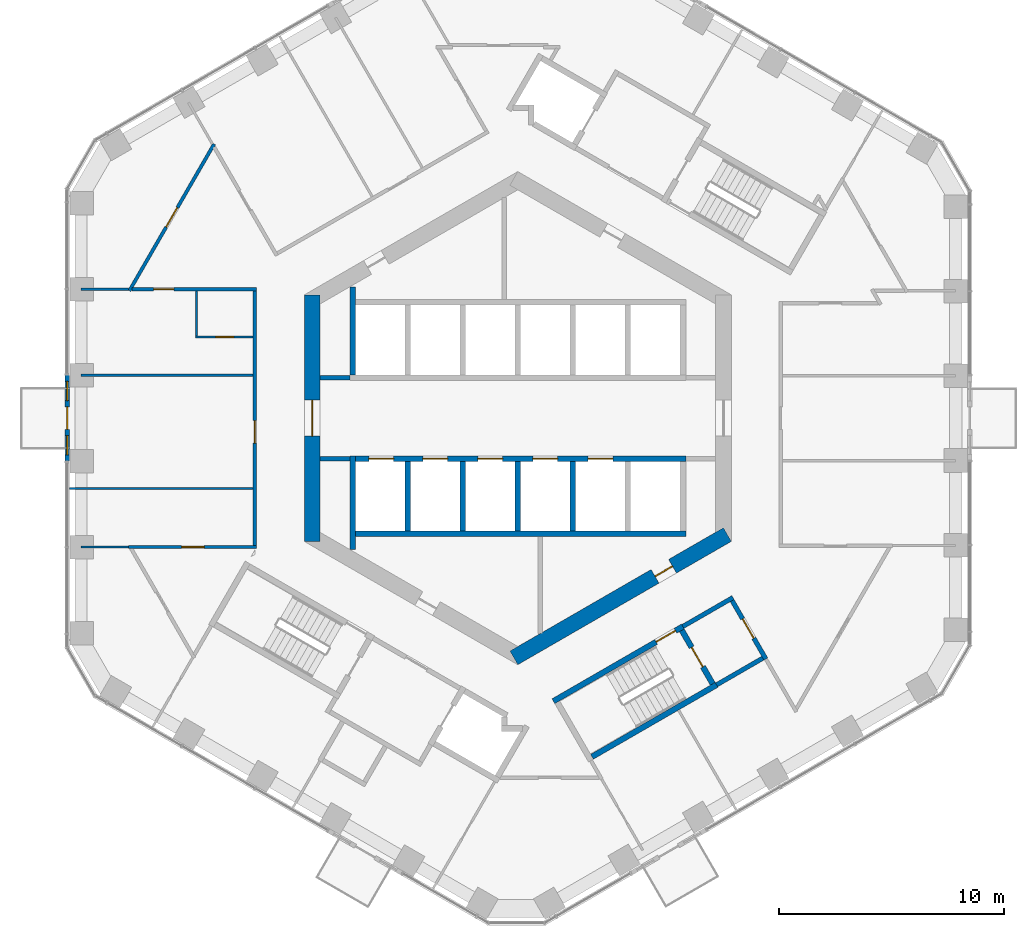
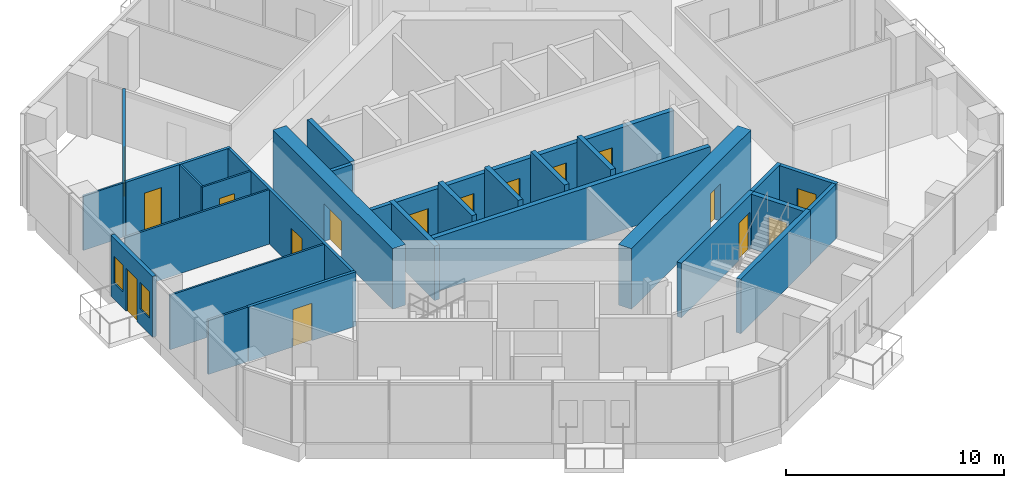
# One storey, part 14 of 20: 29 walls, 16 doors, 2 windows, 18 openings.
"""IFC4 building model written with IfcOpenShell, lengths in metres."""

from ifc_helpers import new_model, si_unit, direction, frame, frame_2d, origin, place, context, subcontext, project, spatial, rectangle, extrude, material, layer, layer_set, type_object, element, fill, save


model = new_model("IFC4")

# Units and contexts
model_context = context("Model", 3, precision=1e-05, world=origin(), true_north=direction((0.0, 1.0)))
body_context = subcontext(model_context, "Body", "Model", "MODEL_VIEW")
ifc_project = project(units=[si_unit("LENGTHUNIT", "METRE"), si_unit("AREAUNIT", "SQUARE_METRE"), si_unit("VOLUMEUNIT", "CUBIC_METRE"), si_unit("PLANEANGLEUNIT", "RADIAN"), si_unit("MASSUNIT", "GRAM", prefix="KILO")], contexts=[model_context])

# Site, building, storey
site_placement = place(None, origin())
site = spatial("IfcSite", under=ifc_project, at=site_placement, CompositionType="ELEMENT")
building_placement = place(site_placement, origin())
building = spatial("IfcBuilding", under=site, at=building_placement, Name="Ayvan Gate Tower", CompositionType="ELEMENT")
storey_placement = place(building_placement, frame((0.0, 0.0, 86.5)))
storey = spatial("IfcBuildingStorey", under=building, at=storey_placement, Name="L22", CompositionType="ELEMENT", Elevation=86.5)

# Wall, openings, door, windows
ifc_material_1 = material(Name="Insulated metal panel wall")
ifc_layer_1 = layer(ifc_material_1, 0.199951171875)
ifc_layer_set_1 = layer_set([ifc_layer_1], Name="Insulated metal panel wall")
wall_type_1 = type_object("IfcWallType", Name="Balcony door wall 200", PredefinedType="SOLIDWALL", material=ifc_layer_set_1)
wall_1_placement = place(storey_placement, frame((-20.05126953125, 1.91357421875, 0.0), z_axis=(0.0, 0.0, 1.0), x_axis=(0.0, -1.0, 0.0)))
wall_1 = element("IfcWall", 1, at=wall_1_placement, inside=storey, type_object=wall_type_1, Name="EW:L22:3:2", PredefinedType="SOLIDWALL", context=body_context, shape_type="SweptSolid", body=[
    extrude(rectangle(XDim=3.8271484375, YDim=0.199951171875, at=frame_2d((1.91357421875, 0.0))), origin(), (0.0, 0.0, 1.0), 3.39990234375),
])
opening_1_placement = place(wall_1_placement, frame((1.41357421875, 0.0, 0.0)))
opening_1 = element("IfcOpeningElement", 2, at=opening_1_placement, cuts=wall_1, Name="Opening L22-D93", PredefinedType="OPENING", context=body_context, shape_type="SweptSolid", body=[
    extrude(rectangle(XDim=1.0, YDim=2.39990234375, at=frame_2d((0.5, 1.199951171875))), frame((0.0, 0.10986328125, 0.0), z_axis=(0.0, -1.0, 0.0), x_axis=(1.0, 0.0, 0.0)), (0.0, 0.0, 1.0), 0.219970703125),
])
opening_2_placement = place(wall_1_placement, frame((0.28173828125, 0.0, 0.89990234375)))
opening_2 = element("IfcOpeningElement", 3, at=opening_2_placement, cuts=wall_1, Name="Opening W-B2", PredefinedType="OPENING", context=body_context, shape_type="SweptSolid", body=[
    extrude(rectangle(XDim=0.85009765625, YDim=1.5, at=frame_2d((0.425048828125, 0.75))), frame((0.0, 0.10986328125, 0.0), z_axis=(0.0, -1.0, 0.0), x_axis=(1.0, 0.0, 0.0)), (0.0, 0.0, 1.0), 0.219970703125),
])
opening_3_placement = place(wall_1_placement, frame((2.6953125, 0.0, 0.89990234375)))
opening_3 = element("IfcOpeningElement", 4, at=opening_3_placement, cuts=wall_1, Name="Opening W-B2", PredefinedType="OPENING", context=body_context, shape_type="SweptSolid", body=[
    extrude(rectangle(XDim=0.85009765625, YDim=1.5, at=frame_2d((0.425048828125, 0.75))), frame((0.0, 0.10986328125, 0.0), z_axis=(0.0, -1.0, 0.0), x_axis=(1.0, 0.0, 0.0)), (0.0, 0.0, 1.0), 0.219970703125),
])
ifc_material_2 = material(Name="Bronze anodised aluminium and clear glass", Category="aluminium")
door_type_1 = type_object("IfcDoorType", Name="Balcony door D-B", OperationType="SINGLE_SWING_RIGHT", PredefinedType="DOOR", material=ifc_material_2)
door_1_placement = place(opening_1_placement, origin())
door_1 = element("IfcDoor", 5, at=door_1_placement, inside=storey, type_object=door_type_1, Name="Balcony door BAL-L22-3", OperationType="SINGLE_SWING_RIGHT", OverallHeight=2.39990234375, OverallWidth=1.0, PredefinedType="DOOR", context=body_context, shape_type="SweptSolid", body=[
    extrude(rectangle(XDim=1.0, YDim=2.39990234375, at=frame_2d((0.5, 1.199951171875))), frame((0.0, 0.02490234375, 0.0), z_axis=(0.0, -1.0, 0.0), x_axis=(1.0, 0.0, 0.0)), (0.0, 0.0, 1.0), 0.050048828125),
])
fill(opening_1, door_1)
window_type = type_object("IfcWindowType", Name="Balcony side light W-B Z2", PartitioningType="SINGLE_PANEL", PredefinedType="WINDOW", material=ifc_material_2)
window_1_placement = place(opening_2_placement, origin())
window_1 = element("IfcWindow", 6, at=window_1_placement, inside=storey, type_object=window_type, Name="Balcony side light BAL-L22-3.1", OverallHeight=1.5, OverallWidth=0.85009765625, PartitioningType="SINGLE_PANEL", PredefinedType="WINDOW", context=body_context, shape_type="SweptSolid", body=[
    extrude(rectangle(XDim=0.85009765625, YDim=1.5, at=frame_2d((0.425048828125, 0.75))), frame((0.0, 0.030029296875, 0.0), z_axis=(0.0, -1.0, 0.0), x_axis=(1.0, 0.0, 0.0)), (0.0, 0.0, 1.0), 0.06005859375),
])
fill(opening_2, window_1)
window_2_placement = place(opening_3_placement, origin())
window_2 = element("IfcWindow", 7, at=window_2_placement, inside=storey, type_object=window_type, Name="Balcony side light BAL-L22-3.2", OverallHeight=1.5, OverallWidth=0.85009765625, PartitioningType="SINGLE_PANEL", PredefinedType="WINDOW", context=body_context, shape_type="SweptSolid", body=[
    extrude(rectangle(XDim=0.85009765625, YDim=1.5, at=frame_2d((0.425048828125, 0.75))), frame((0.0, 0.030029296875, 0.0), z_axis=(0.0, -1.0, 0.0), x_axis=(1.0, 0.0, 0.0)), (0.0, 0.0, 1.0), 0.06005859375),
])
fill(opening_3, window_2)

# Wall, opening, door
ifc_material_3 = material(Name="Concrete C70/85", Category="concrete")
ifc_layer_2 = layer(ifc_material_3, 0.699951171875)
ifc_layer_set_2 = layer_set([ifc_layer_2], Name="Concrete C70/85")
wall_type_2 = type_object("IfcWallType", Name="Core wall 700 C70/85", PredefinedType="SHEAR", material=ifc_layer_set_2)
wall_2_placement = place(storey_placement, frame((-9.14990234375, 5.48486328125, 0.0), z_axis=(0.0, 0.0, 1.0), x_axis=(0.0, -1.0, 0.0)))
wall_2 = element("IfcWall", 8, at=wall_2_placement, inside=storey, type_object=wall_type_2, Name="CORE-L22-3", PredefinedType="SHEAR", context=body_context, shape_type="SweptSolid", body=[
    extrude(rectangle(XDim=10.9697265625, YDim=0.699951171875, at=frame_2d((5.48486328125, 0.0))), origin(), (0.0, 0.0, 1.0), 3.39990234375),
])
opening_4_placement = place(wall_2_placement, frame((4.684814453125, 0.0, 0.0)))
opening_4 = element("IfcOpeningElement", 9, at=opening_4_placement, cuts=wall_2, Name="Opening L22-D101", PredefinedType="OPENING", context=body_context, shape_type="SweptSolid", body=[
    extrude(rectangle(XDim=1.60009765625, YDim=2.10009765625, at=frame_2d((0.800048828125, 1.050048828125))), frame((0.0, 0.35986328125, 0.0), z_axis=(0.0, -1.0, 0.0), x_axis=(1.0, 0.0, 0.0)), (0.0, 0.0, 1.0), 0.719970703125),
])
ifc_material_4 = material(Name="Timber door leaf", Category="wood")
door_type_2 = type_object("IfcDoorType", Name="DT-1600", OperationType="NOTDEFINED", PredefinedType="DOOR", material=ifc_material_4)
door_2_placement = place(opening_4_placement, origin())
door_2 = element("IfcDoor", 10, at=door_2_placement, inside=storey, type_object=door_type_2, Name="CD-L22-101", OperationType="SINGLE_SWING_LEFT", OverallHeight=2.10009765625, OverallWidth=1.60009765625, PredefinedType="DOOR", context=body_context, shape_type="SweptSolid", body=[
    extrude(rectangle(XDim=1.60009765625, YDim=2.10009765625, at=frame_2d((0.800048828125, 1.050048828125))), frame((0.0, 0.02490234375, 0.0), z_axis=(0.0, -1.0, 0.0), x_axis=(1.0, 0.0, 0.0)), (0.0, 0.0, 1.0), 0.050048828125),
])
fill(opening_4, door_2)

wall_3_placement = place(storey_placement, frame((-0.175048828125, -10.66650390625, 0.0), z_axis=(0.0, 0.0, 1.0), x_axis=(0.866023993627, 0.500002442456, 0.0)))
wall_3 = element("IfcWall", 11, at=wall_3_placement, inside=storey, type_object=wall_type_2, Name="CORE-L22-5", PredefinedType="SHEAR", context=body_context, shape_type="SweptSolid", body=[
    extrude(rectangle(XDim=10.9697265625, YDim=0.699951171875, at=frame_2d((5.48486328125, 0.0))), origin(), (0.0, 0.0, 1.0), 3.39990234375),
])
opening_5_placement = place(wall_3_placement, frame((7.25244140625, 0.0, 0.0)))
opening_5 = element("IfcOpeningElement", 12, at=opening_5_placement, cuts=wall_3, Name="Opening L22-D99", PredefinedType="OPENING", context=body_context, shape_type="SweptSolid", body=[
    extrude(rectangle(XDim=0.89990234375, YDim=2.10009765625, at=frame_2d((0.449951171875, 1.050048828125))), frame((0.0, 0.35986328125, 0.0), z_axis=(0.0, -1.0, 0.0), x_axis=(1.0, 0.0, 0.0)), (0.0, 0.0, 1.0), 0.719970703125),
])
door_type_3 = type_object("IfcDoorType", Name="DT-900", OperationType="NOTDEFINED", PredefinedType="DOOR", material=ifc_material_4)
door_3_placement = place(opening_5_placement, origin())
door_3 = element("IfcDoor", 13, at=door_3_placement, inside=storey, type_object=door_type_3, Name="CD-L22-99", OperationType="SINGLE_SWING_LEFT", OverallHeight=2.10009765625, OverallWidth=0.89990234375, PredefinedType="DOOR", context=body_context, shape_type="SweptSolid", body=[
    extrude(rectangle(XDim=0.89990234375, YDim=2.10009765625, at=frame_2d((0.449951171875, 1.050048828125))), frame((0.0, 0.02490234375, 0.0), z_axis=(0.0, -1.0, 0.0), x_axis=(1.0, 0.0, 0.0)), (0.0, 0.0, 1.0), 0.050048828125),
])
fill(opening_5, door_3)

ifc_material_5 = material(Name="Plasterboard on steel stud", Category="steel")
ifc_layer_3 = layer(ifc_material_5, 0.14990234375)
ifc_layer_set_3 = layer_set([ifc_layer_3], Name="Plasterboard on steel stud")
wall_type_3 = type_object("IfcWallType", Name="WT-CORR-150", PredefinedType="PARTITIONING", material=ifc_layer_set_3)
wall_4_placement = place(storey_placement, frame((-17.321533203125, -5.731201171875, 0.0), z_axis=(0.0, 0.0, 1.0), x_axis=(1.0, 0.0, 0.0)))
wall_4 = element("IfcWall", 14, at=wall_4_placement, inside=storey, type_object=wall_type_3, Name="IW-L22-001", PredefinedType="PARTITIONING", context=body_context, shape_type="SweptSolid", body=[
    extrude(rectangle(XDim=5.696533203125, YDim=0.14990234375, at=frame_2d((2.84814453125, 0.0))), origin(), (0.0, 0.0, 1.0), 3.050048828125),
])
opening_6_placement = place(wall_4_placement, frame((2.365478515625, 0.0, 0.0)))
opening_6 = element("IfcOpeningElement", 15, at=opening_6_placement, cuts=wall_4, Name="Opening L22-D27", PredefinedType="OPENING", context=body_context, shape_type="SweptSolid", body=[
    extrude(rectangle(XDim=1.0, YDim=2.10009765625, at=frame_2d((0.5, 1.050048828125))), frame((0.0, 0.0849609375, 0.0), z_axis=(0.0, -1.0, 0.0), x_axis=(1.0, 0.0, 0.0)), (0.0, 0.0, 1.0), 0.169921875),
])
door_type_4 = type_object("IfcDoorType", Name="DT-1000", OperationType="NOTDEFINED", PredefinedType="DOOR", material=ifc_material_4)
door_4_placement = place(opening_6_placement, origin())
door_4 = element("IfcDoor", 16, at=door_4_placement, inside=storey, type_object=door_type_4, Name="ID-L22-027", OperationType="SINGLE_SWING_LEFT", OverallHeight=2.10009765625, OverallWidth=1.0, PredefinedType="DOOR", context=body_context, shape_type="SweptSolid", body=[
    extrude(rectangle(XDim=1.0, YDim=2.10009765625, at=frame_2d((0.5, 1.050048828125))), frame((0.0, 0.02490234375, 0.0), z_axis=(0.0, -1.0, 0.0), x_axis=(1.0, 0.0, 0.0)), (0.0, 0.0, 1.0), 0.050048828125),
])
fill(opening_6, door_4)

wall_5_placement = place(storey_placement, frame((-17.2841796875, 5.66650390625, 0.0), z_axis=(0.0, 0.0, 1.0), x_axis=(0.500011112518, 0.866018987874, 0.0)))
wall_5 = element("IfcWall", 17, at=wall_5_placement, inside=storey, type_object=wall_type_3, Name="IW-L22-003", PredefinedType="PARTITIONING", context=body_context, shape_type="SweptSolid", body=[
    extrude(rectangle(XDim=7.540771484375, YDim=0.14990234375, at=frame_2d((3.7705078125, 0.0))), origin(), (0.0, 0.0, 1.0), 3.050048828125),
])
opening_7_placement = place(wall_5_placement, frame((3.2705078125, 0.0, 0.0)))
opening_7 = element("IfcOpeningElement", 18, at=opening_7_placement, cuts=wall_5, Name="Opening L22-D23", PredefinedType="OPENING", context=body_context, shape_type="SweptSolid", body=[
    extrude(rectangle(XDim=1.0, YDim=2.10009765625, at=frame_2d((0.5, 1.050048828125))), frame((0.0, 0.0849609375, 0.0), z_axis=(0.0, -1.0, 0.0), x_axis=(1.0, 0.0, 0.0)), (0.0, 0.0, 1.0), 0.169921875),
])
door_5_placement = place(opening_7_placement, origin())
door_5 = element("IfcDoor", 19, at=door_5_placement, inside=storey, type_object=door_type_4, Name="ID-L22-023", OperationType="SINGLE_SWING_LEFT", OverallHeight=2.10009765625, OverallWidth=1.0, PredefinedType="DOOR", context=body_context, shape_type="SweptSolid", body=[
    extrude(rectangle(XDim=1.0, YDim=2.10009765625, at=frame_2d((0.5, 1.050048828125))), frame((0.0, 0.02490234375, 0.0), z_axis=(0.0, -1.0, 0.0), x_axis=(1.0, 0.0, 0.0)), (0.0, 0.0, 1.0), 0.050048828125),
])
fill(opening_7, door_5)

wall_6_placement = place(storey_placement, frame((-17.171630859375, 5.731201171875, 0.0), z_axis=(0.0, 0.0, 1.0), x_axis=(1.0, 0.0, 0.0)))
wall_6 = element("IfcWall", 20, at=wall_6_placement, inside=storey, type_object=wall_type_3, Name="IW-L22-009", PredefinedType="PARTITIONING", context=body_context, shape_type="SweptSolid", body=[
    extrude(rectangle(XDim=5.546630859375, YDim=0.14990234375, at=frame_2d((2.7734375, 0.0))), origin(), (0.0, 0.0, 1.0), 3.050048828125),
])
opening_8_placement = place(wall_6_placement, frame((0.970703125, 0.0, 0.0)))
opening_8 = element("IfcOpeningElement", 21, at=opening_8_placement, cuts=wall_6, Name="Opening L22-D24", PredefinedType="OPENING", context=body_context, shape_type="SweptSolid", body=[
    extrude(rectangle(XDim=0.89990234375, YDim=2.10009765625, at=frame_2d((0.449951171875, 1.050048828125))), frame((0.0, 0.0849609375, 0.0), z_axis=(0.0, -1.0, 0.0), x_axis=(1.0, 0.0, 0.0)), (0.0, 0.0, 1.0), 0.169921875),
])
door_6_placement = place(opening_8_placement, origin())
door_6 = element("IfcDoor", 22, at=door_6_placement, inside=storey, type_object=door_type_3, Name="ID-L22-024", OperationType="SINGLE_SWING_RIGHT", OverallHeight=2.10009765625, OverallWidth=0.89990234375, PredefinedType="DOOR", context=body_context, shape_type="SweptSolid", body=[
    extrude(rectangle(XDim=0.89990234375, YDim=2.10009765625, at=frame_2d((0.449951171875, 1.050048828125))), frame((0.0, 0.02490234375, 0.0), z_axis=(0.0, -1.0, 0.0), x_axis=(1.0, 0.0, 0.0)), (0.0, 0.0, 1.0), 0.050048828125),
])
fill(opening_8, door_6)

wall_7_placement = place(storey_placement, frame((-11.699951171875, 5.65625, 0.0), z_axis=(0.0, 0.0, 1.0), x_axis=(0.0, -1.0, 0.0)))
wall_7 = element("IfcWall", 23, at=wall_7_placement, inside=storey, type_object=wall_type_3, Name="IW-L22-015", PredefinedType="PARTITIONING", context=body_context, shape_type="SweptSolid", body=[
    extrude(rectangle(XDim=11.3125, YDim=0.14990234375, at=frame_2d((5.65625, 0.0))), origin(), (0.0, 0.0, 1.0), 3.050048828125),
])
opening_9_placement = place(wall_7_placement, frame((5.767578125, 0.0, 0.0)))
opening_9 = element("IfcOpeningElement", 24, at=opening_9_placement, cuts=wall_7, Name="Opening L22-D26", PredefinedType="OPENING", context=body_context, shape_type="SweptSolid", body=[
    extrude(rectangle(XDim=1.0, YDim=2.10009765625, at=frame_2d((0.5, 1.050048828125))), frame((0.0, 0.0849609375, 0.0), z_axis=(0.0, -1.0, 0.0), x_axis=(1.0, 0.0, 0.0)), (0.0, 0.0, 1.0), 0.169921875),
])
door_7_placement = place(opening_9_placement, origin())
door_7 = element("IfcDoor", 25, at=door_7_placement, inside=storey, type_object=door_type_4, Name="ID-L22-026", OperationType="SINGLE_SWING_RIGHT", OverallHeight=2.10009765625, OverallWidth=1.0, PredefinedType="DOOR", context=body_context, shape_type="SweptSolid", body=[
    extrude(rectangle(XDim=1.0, YDim=2.10009765625, at=frame_2d((0.5, 1.050048828125))), frame((0.0, 0.02490234375, 0.0), z_axis=(0.0, -1.0, 0.0), x_axis=(1.0, 0.0, 0.0)), (0.0, 0.0, 1.0), 0.050048828125),
])
fill(opening_9, door_7)

# Walls
ifc_layer_4 = layer(ifc_material_5, 0.10009765625)
ifc_layer_set_4 = layer_set([ifc_layer_4], Name="Plasterboard on steel stud")
wall_type_4 = type_object("IfcWallType", Name="WT-PART-100", PredefinedType="PARTITIONING", material=ifc_layer_set_4)
for number, where, z_axis, x_axis, name in (
    (26, (-17.321533203125, -5.731201171875, 0.0), (0.0, 0.0, 1.0), (-1.0, 0.0, 0.0), "IW-L22-000"),
    (27, (-17.321533203125, 5.731201171875, 0.0), (0.0, 0.0, 1.0), (-1.0, 0.0, 0.0), "IW-L22-002"),
):
    element("IfcWall", number, at=place(storey_placement, frame(where, z_axis=z_axis, x_axis=x_axis)), inside=storey, type_object=wall_type_4, Name=name, PredefinedType="PARTITIONING", context=body_context, shape_type="SweptSolid", body=[
        extrude(rectangle(XDim=2.104736328125, YDim=0.10009765625, at=frame_2d((1.05224609375, 0.0))), origin(), (0.0, 0.0, 1.0), 3.050048828125),
    ])

# Wall, opening, door
wall_8_placement = place(storey_placement, frame((-14.35009765625, 3.6103515625, 0.0), z_axis=(0.0, 0.0, 1.0), x_axis=(1.0, 0.0, 0.0)))
wall_8 = element("IfcWall", 28, at=wall_8_placement, inside=storey, type_object=wall_type_4, Name="IW-L22-007", PredefinedType="PARTITIONING", context=body_context, shape_type="SweptSolid", body=[
    extrude(rectangle(XDim=2.5751953125, YDim=0.10009765625, at=frame_2d((1.28759765625, 0.0))), origin(), (0.0, 0.0, 1.0), 3.050048828125),
])
opening_10_placement = place(wall_8_placement, frame((0.91259765625, 0.0, 0.0)))
opening_10 = element("IfcOpeningElement", 29, at=opening_10_placement, cuts=wall_8, Name="Opening L22-D25", PredefinedType="OPENING", context=body_context, shape_type="SweptSolid", body=[
    extrude(rectangle(XDim=0.800048828125, YDim=2.10009765625, at=frame_2d((0.39990234375, 1.050048828125))), frame((0.0, 0.06005859375, 0.0), z_axis=(0.0, -1.0, 0.0), x_axis=(1.0, 0.0, 0.0)), (0.0, 0.0, 1.0), 0.1201171875),
])
door_type_5 = type_object("IfcDoorType", Name="DT-800", OperationType="NOTDEFINED", PredefinedType="DOOR", material=ifc_material_4)
door_8_placement = place(opening_10_placement, origin())
door_8 = element("IfcDoor", 30, at=door_8_placement, inside=storey, type_object=door_type_5, Name="ID-L22-025", OperationType="SINGLE_SWING_LEFT", OverallHeight=2.10009765625, OverallWidth=0.800048828125, PredefinedType="DOOR", context=body_context, shape_type="SweptSolid", body=[
    extrude(rectangle(XDim=0.800048828125, YDim=2.10009765625, at=frame_2d((0.39990234375, 1.050048828125))), frame((0.0, 0.02490234375, 0.0), z_axis=(0.0, -1.0, 0.0), x_axis=(1.0, 0.0, 0.0)), (0.0, 0.0, 1.0), 0.050048828125),
])
fill(opening_10, door_8)

# Walls
wall_9_placement = place(storey_placement, frame((-14.300048828125, 5.65625, 0.0), z_axis=(0.0, 0.0, 1.0), x_axis=(0.0, -1.0, 0.0)))
element("IfcWall", 31, at=wall_9_placement, inside=storey, type_object=wall_type_4, Name="IW-L22-008", PredefinedType="PARTITIONING", context=body_context, shape_type="SweptSolid", body=[
    extrude(rectangle(XDim=1.995849609375, YDim=0.10009765625, at=frame_2d((0.998046875, 0.0))), origin(), (0.0, 0.0, 1.0), 3.050048828125),
])
wall_10_placement = place(storey_placement, frame((-11.77490234375, -3.133056640625, 0.0), z_axis=(0.0, 0.0, 1.0), x_axis=(-1.0, 0.0, 0.0)))
element("IfcWall", 32, at=wall_10_placement, inside=storey, type_object=wall_type_4, Name="IW-L22-014", PredefinedType="PARTITIONING", context=body_context, shape_type="SweptSolid", body=[
    extrude(rectangle(XDim=8.17236328125, YDim=0.10009765625, at=frame_2d((4.086181640625, 0.0))), origin(), (0.0, 0.0, 1.0), 3.050048828125),
])
wall_11_placement = place(storey_placement, frame((-11.77490234375, 1.910400390625, 0.0), z_axis=(0.0, 0.0, 1.0), x_axis=(-1.0, 0.0, 0.0)))
element("IfcWall", 33, at=wall_11_placement, inside=storey, type_object=wall_type_4, Name="IW-L22-016", PredefinedType="PARTITIONING", context=body_context, shape_type="SweptSolid", body=[
    extrude(rectangle(XDim=7.6513671875, YDim=0.10009765625, at=frame_2d((3.82568359375, 0.0))), origin(), (0.0, 0.0, 1.0), 3.050048828125),
])
ifc_layer_5 = layer(ifc_material_5, 0.199951171875)
ifc_layer_set_5 = layer_set([ifc_layer_5], Name="Plasterboard on steel stud")
wall_type_5 = type_object("IfcWallType", Name="WT-RATED-200", PredefinedType="PARTITIONING", material=ifc_layer_set_5)
for number, where, z_axis, x_axis, name in (
    (34, (-8.800048828125, 1.800048828125, 0.0), (0.0, 0.0, 1.0), (1.0, 0.0, 0.0), "IW-L22-018"),
    (35, (-7.474853515625, -1.800048828125, 0.0), (0.0, 0.0, 1.0), (-1.0, 0.0, 0.0), "IW-L22-028"),
):
    element("IfcWall", number, at=place(storey_placement, frame(where, z_axis=z_axis, x_axis=x_axis)), inside=storey, type_object=wall_type_5, Name=name, PredefinedType="PARTITIONING", context=body_context, shape_type="SweptSolid", body=[
        extrude(rectangle(XDim=1.3251953125, YDim=0.199951171875, at=frame_2d((0.66259765625, 0.0))), origin(), (0.0, 0.0, 1.0), 3.050048828125),
    ])
wall_12_placement = place(storey_placement, frame((7.343994140625, -9.27001953125, 0.0), z_axis=(0.0, 0.0, 1.0), x_axis=(0.866005588531, 0.500034319456, 0.0)))
element("IfcWall", 36, at=wall_12_placement, inside=storey, type_object=wall_type_5, Name="IW-L22-083", PredefinedType="PARTITIONING", context=body_context, shape_type="SweptSolid", body=[
    extrude(rectangle(XDim=2.574951171875, YDim=0.199951171875, at=frame_2d((1.28759765625, 0.0))), origin(), (0.0, 0.0, 1.0), 3.050048828125),
])

# Wall, opening, door
wall_13_placement = place(storey_placement, frame((9.537353515625, -8.119140625, 0.0), z_axis=(0.0, 0.0, 1.0), x_axis=(0.499990139034, -0.866031096941, 0.0)))
wall_13 = element("IfcWall", 37, at=wall_13_placement, inside=storey, type_object=wall_type_5, Name="IW-L22-091", PredefinedType="PARTITIONING", context=body_context, shape_type="SweptSolid", body=[
    extrude(rectangle(XDim=3.0, YDim=0.199951171875, at=frame_2d((1.5, 0.0))), origin(), (0.0, 0.0, 1.0), 3.050048828125),
])
opening_11_placement = place(wall_13_placement, frame((0.93505859375, 0.0, 0.0)))
opening_11 = element("IfcOpeningElement", 38, at=opening_11_placement, cuts=wall_13, Name="Opening L22-D15", PredefinedType="OPENING", context=body_context, shape_type="SweptSolid", body=[
    extrude(rectangle(XDim=1.0, YDim=2.10009765625, at=frame_2d((0.5, 1.050048828125))), frame((0.0, 0.10986328125, 0.0), z_axis=(0.0, -1.0, 0.0), x_axis=(1.0, 0.0, 0.0)), (0.0, 0.0, 1.0), 0.219970703125),
])
door_9_placement = place(opening_11_placement, origin())
door_9 = element("IfcDoor", 39, at=door_9_placement, inside=storey, type_object=door_type_4, Name="ID-L22-015", OperationType="SINGLE_SWING_LEFT", OverallHeight=2.10009765625, OverallWidth=1.0, PredefinedType="DOOR", context=body_context, shape_type="SweptSolid", body=[
    extrude(rectangle(XDim=1.0, YDim=2.10009765625, at=frame_2d((0.5, 1.050048828125))), frame((0.0, 0.02490234375, 0.0), z_axis=(0.0, -1.0, 0.0), x_axis=(1.0, 0.0, 0.0)), (0.0, 0.0, 1.0), 0.050048828125),
])
fill(opening_11, door_9)

# Walls
wall_14_placement = place(storey_placement, frame((10.900634765625, -10.6806640625, 0.0), z_axis=(0.0, 0.0, 1.0), x_axis=(-0.866007538022, -0.500030943131, 0.0)))
element("IfcWall", 40, at=wall_14_placement, inside=storey, type_object=wall_type_5, Name="IW-L22-092", PredefinedType="PARTITIONING", context=body_context, shape_type="SweptSolid", body=[
    extrude(rectangle(XDim=2.374755859375, YDim=0.199951171875, at=frame_2d((1.1875, 0.0))), origin(), (0.0, 0.0, 1.0), 3.050048828125),
])
ifc_material_6 = material(Name="Concrete C50/60", Category="concrete")
ifc_layer_6 = layer(ifc_material_6, 0.25)
ifc_layer_set_6 = layer_set([ifc_layer_6], Name="Concrete C50/60")
wall_type_6 = type_object("IfcWallType", Name="WT-RC-250", PredefinedType="SHEAR", material=ifc_layer_set_6)
wall_15_placement = place(storey_placement, frame((-7.35009765625, -5.845703125, 0.0), z_axis=(0.0, 0.0, 1.0), x_axis=(0.0, 1.0, 0.0)))
element("IfcWall", 41, at=wall_15_placement, inside=storey, type_object=wall_type_6, Name="IW-L22-025", PredefinedType="SHEAR", context=body_context, shape_type="SweptSolid", body=[
    extrude(rectangle(XDim=4.170654296875, YDim=0.25, at=frame_2d((2.08544921875, 0.0))), origin(), (0.0, 0.0, 1.0), 3.050048828125),
])
wall_16_placement = place(storey_placement, frame((-7.35009765625, 1.925048828125, 0.0), z_axis=(0.0, 0.0, 1.0), x_axis=(0.0, 1.0, 0.0)))
element("IfcWall", 42, at=wall_16_placement, inside=storey, type_object=wall_type_6, Name="IW-L22-026", PredefinedType="SHEAR", context=body_context, shape_type="SweptSolid", body=[
    extrude(rectangle(XDim=3.920654296875, YDim=0.25, at=frame_2d((1.96044921875, 0.0))), origin(), (0.0, 0.0, 1.0), 3.050048828125),
])
wall_17_placement = place(storey_placement, frame((-7.22509765625, -5.14990234375, 0.0), z_axis=(0.0, 0.0, 1.0), x_axis=(1.0, 0.0, 0.0)))
element("IfcWall", 43, at=wall_17_placement, inside=storey, type_object=wall_type_6, Name="IW-L22-034", PredefinedType="SHEAR", context=body_context, shape_type="SweptSolid", body=[
    extrude(rectangle(XDim=14.7001953125, YDim=0.25, at=frame_2d((7.35009765625, 0.0))), origin(), (0.0, 0.0, 1.0), 3.050048828125),
])
wall_18_placement = place(storey_placement, frame((-4.89990234375, -1.925048828125, 0.0), z_axis=(0.0, 0.0, 1.0), x_axis=(0.0, -1.0, 0.0)))
element("IfcWall", 44, at=wall_18_placement, inside=storey, type_object=wall_type_6, Name="IW-L22-035", PredefinedType="SHEAR", context=body_context, shape_type="SweptSolid", body=[
    extrude(rectangle(XDim=3.099853515625, YDim=0.25, at=frame_2d((1.5498046875, 0.0))), origin(), (0.0, 0.0, 1.0), 3.39990234375),
])

# Wall, openings, doors
wall_19_placement = place(storey_placement, frame((-7.22509765625, -1.800048828125, 0.0), z_axis=(0.0, 0.0, 1.0), x_axis=(1.0, 0.0, 0.0)))
wall_19 = element("IfcWall", 45, at=wall_19_placement, inside=storey, type_object=wall_type_6, Name="IW-L22-037", PredefinedType="SHEAR", context=body_context, shape_type="SweptSolid", body=[
    extrude(rectangle(XDim=14.7001953125, YDim=0.25, at=frame_2d((7.35009765625, 0.0))), origin(), (0.0, 0.0, 1.0), 3.050048828125),
])
opening_12_placement = place(wall_19_placement, frame((0.597412109375, 0.0, 0.0)))
opening_12 = element("IfcOpeningElement", 46, at=opening_12_placement, cuts=wall_19, Name="Opening L22-LD-LR1", PredefinedType="OPENING", context=body_context, shape_type="SweptSolid", body=[
    extrude(rectangle(XDim=1.10009765625, YDim=2.10009765625, at=frame_2d((0.550048828125, 1.050048828125))), frame((0.0, 0.135009765625, 0.0), z_axis=(0.0, -1.0, 0.0), x_axis=(1.0, 0.0, 0.0)), (0.0, 0.0, 1.0), 0.27001953125),
])
opening_13_placement = place(wall_19_placement, frame((3.0, 0.0, 0.0)))
opening_13 = element("IfcOpeningElement", 47, at=opening_13_placement, cuts=wall_19, Name="Opening L22-LD-LR2", PredefinedType="OPENING", context=body_context, shape_type="SweptSolid", body=[
    extrude(rectangle(XDim=1.10009765625, YDim=2.10009765625, at=frame_2d((0.550048828125, 1.050048828125))), frame((0.0, 0.135009765625, 0.0), z_axis=(0.0, -1.0, 0.0), x_axis=(1.0, 0.0, 0.0)), (0.0, 0.0, 1.0), 0.27001953125),
])
opening_14_placement = place(wall_19_placement, frame((5.4501953125, 0.0, 0.0)))
opening_14 = element("IfcOpeningElement", 48, at=opening_14_placement, cuts=wall_19, Name="Opening L22-LD-LR3", PredefinedType="OPENING", context=body_context, shape_type="SweptSolid", body=[
    extrude(rectangle(XDim=1.10009765625, YDim=2.10009765625, at=frame_2d((0.550048828125, 1.050048828125))), frame((0.0, 0.135009765625, 0.0), z_axis=(0.0, -1.0, 0.0), x_axis=(1.0, 0.0, 0.0)), (0.0, 0.0, 1.0), 0.27001953125),
])
opening_15_placement = place(wall_19_placement, frame((7.900146484375, 0.0, 0.0)))
opening_15 = element("IfcOpeningElement", 49, at=opening_15_placement, cuts=wall_19, Name="Opening L22-LD-LR4", PredefinedType="OPENING", context=body_context, shape_type="SweptSolid", body=[
    extrude(rectangle(XDim=1.10009765625, YDim=2.10009765625, at=frame_2d((0.550048828125, 1.050048828125))), frame((0.0, 0.135009765625, 0.0), z_axis=(0.0, -1.0, 0.0), x_axis=(1.0, 0.0, 0.0)), (0.0, 0.0, 1.0), 0.27001953125),
])
opening_16_placement = place(wall_19_placement, frame((10.35009765625, 0.0, 0.0)))
opening_16 = element("IfcOpeningElement", 50, at=opening_16_placement, cuts=wall_19, Name="Opening L22-LD-SV", PredefinedType="OPENING", context=body_context, shape_type="SweptSolid", body=[
    extrude(rectangle(XDim=1.10009765625, YDim=2.10009765625, at=frame_2d((0.550048828125, 1.050048828125))), frame((0.0, 0.135009765625, 0.0), z_axis=(0.0, -1.0, 0.0), x_axis=(1.0, 0.0, 0.0)), (0.0, 0.0, 1.0), 0.27001953125),
])
ifc_material_7 = material(Name="Stainless steel landing door", Category="steel")
door_type_6 = type_object("IfcDoorType", Name="DT-LANDING-1100", OperationType="SLIDING_TO_LEFT", PredefinedType="DOOR", material=ifc_material_7)
door_10_placement = place(opening_12_placement, origin())
door_10 = element("IfcDoor", 51, at=door_10_placement, inside=storey, type_object=door_type_6, Name="ID-L22-001", OperationType="SLIDING_TO_LEFT", OverallHeight=2.10009765625, OverallWidth=1.10009765625, PredefinedType="DOOR", context=body_context, shape_type="SweptSolid", body=[
    extrude(rectangle(XDim=1.10009765625, YDim=2.10009765625, at=frame_2d((0.550048828125, 1.050048828125))), frame((0.0, 0.02490234375, 0.0), z_axis=(0.0, -1.0, 0.0), x_axis=(1.0, 0.0, 0.0)), (0.0, 0.0, 1.0), 0.050048828125),
])
fill(opening_12, door_10)
door_11_placement = place(opening_13_placement, origin())
door_11 = element("IfcDoor", 52, at=door_11_placement, inside=storey, type_object=door_type_6, Name="ID-L22-002", OperationType="SLIDING_TO_LEFT", OverallHeight=2.10009765625, OverallWidth=1.10009765625, PredefinedType="DOOR", context=body_context, shape_type="SweptSolid", body=[
    extrude(rectangle(XDim=1.10009765625, YDim=2.10009765625, at=frame_2d((0.550048828125, 1.050048828125))), frame((0.0, 0.02490234375, 0.0), z_axis=(0.0, -1.0, 0.0), x_axis=(1.0, 0.0, 0.0)), (0.0, 0.0, 1.0), 0.050048828125),
])
fill(opening_13, door_11)
door_12_placement = place(opening_14_placement, origin())
door_12 = element("IfcDoor", 53, at=door_12_placement, inside=storey, type_object=door_type_6, Name="ID-L22-003", OperationType="SLIDING_TO_LEFT", OverallHeight=2.10009765625, OverallWidth=1.10009765625, PredefinedType="DOOR", context=body_context, shape_type="SweptSolid", body=[
    extrude(rectangle(XDim=1.10009765625, YDim=2.10009765625, at=frame_2d((0.550048828125, 1.050048828125))), frame((0.0, 0.02490234375, 0.0), z_axis=(0.0, -1.0, 0.0), x_axis=(1.0, 0.0, 0.0)), (0.0, 0.0, 1.0), 0.050048828125),
])
fill(opening_14, door_12)
door_13_placement = place(opening_15_placement, origin())
door_13 = element("IfcDoor", 54, at=door_13_placement, inside=storey, type_object=door_type_6, Name="ID-L22-004", OperationType="SLIDING_TO_LEFT", OverallHeight=2.10009765625, OverallWidth=1.10009765625, PredefinedType="DOOR", context=body_context, shape_type="SweptSolid", body=[
    extrude(rectangle(XDim=1.10009765625, YDim=2.10009765625, at=frame_2d((0.550048828125, 1.050048828125))), frame((0.0, 0.02490234375, 0.0), z_axis=(0.0, -1.0, 0.0), x_axis=(1.0, 0.0, 0.0)), (0.0, 0.0, 1.0), 0.050048828125),
])
fill(opening_15, door_13)
door_14_placement = place(opening_16_placement, origin())
door_14 = element("IfcDoor", 55, at=door_14_placement, inside=storey, type_object=door_type_6, Name="ID-L22-005", OperationType="SLIDING_TO_LEFT", OverallHeight=2.10009765625, OverallWidth=1.10009765625, PredefinedType="DOOR", context=body_context, shape_type="SweptSolid", body=[
    extrude(rectangle(XDim=1.10009765625, YDim=2.10009765625, at=frame_2d((0.550048828125, 1.050048828125))), frame((0.0, 0.02490234375, 0.0), z_axis=(0.0, -1.0, 0.0), x_axis=(1.0, 0.0, 0.0)), (0.0, 0.0, 1.0), 0.050048828125),
])
fill(opening_16, door_14)

# Walls
for number, where, z_axis, x_axis, name in (
    (56, (-2.449951171875, -1.925048828125, 0.0), (0.0, 0.0, 1.0), (0.0, -1.0, 0.0), "IW-L22-047"),
    (57, (0.0, -1.925048828125, 0.0), (0.0, 0.0, 1.0), (0.0, -1.0, 0.0), "IW-L22-056"),
):
    element("IfcWall", number, at=place(storey_placement, frame(where, z_axis=z_axis, x_axis=x_axis)), inside=storey, type_object=wall_type_6, Name=name, PredefinedType="SHEAR", context=body_context, shape_type="SweptSolid", body=[
        extrude(rectangle(XDim=3.099853515625, YDim=0.25, at=frame_2d((1.5498046875, 0.0))), origin(), (0.0, 0.0, 1.0), 3.39990234375),
    ])

# Wall, opening, door
wall_20_placement = place(storey_placement, frame((1.584716796875, -12.594970703125, 0.0), z_axis=(0.0, 0.0, 1.0), x_axis=(0.866036417653, 0.499980922934, 0.0)))
wall_20 = element("IfcWall", 58, at=wall_20_placement, inside=storey, type_object=wall_type_6, Name="IW-L22-064", PredefinedType="SHEAR", context=body_context, shape_type="SweptSolid", body=[
    extrude(rectangle(XDim=6.650146484375, YDim=0.25, at=frame_2d((3.3251953125, 0.0))), origin(), (0.0, 0.0, 1.0), 3.050048828125),
])
opening_17_placement = place(wall_20_placement, frame((5.27490234375, 0.0, 0.0)))
opening_17 = element("IfcOpeningElement", 59, at=opening_17_placement, cuts=wall_20, Name="Opening L22-D14", PredefinedType="OPENING", context=body_context, shape_type="SweptSolid", body=[
    extrude(rectangle(XDim=1.0, YDim=2.10009765625, at=frame_2d((0.5, 1.050048828125))), frame((0.0, 0.135009765625, 0.0), z_axis=(0.0, -1.0, 0.0), x_axis=(1.0, 0.0, 0.0)), (0.0, 0.0, 1.0), 0.27001953125),
])
door_15_placement = place(opening_17_placement, origin())
door_15 = element("IfcDoor", 60, at=door_15_placement, inside=storey, type_object=door_type_4, Name="ID-L22-014", OperationType="SINGLE_SWING_RIGHT", OverallHeight=2.10009765625, OverallWidth=1.0, PredefinedType="DOOR", context=body_context, shape_type="SweptSolid", body=[
    extrude(rectangle(XDim=1.0, YDim=2.10009765625, at=frame_2d((0.5, 1.050048828125))), frame((0.0, 0.02490234375, 0.0), z_axis=(0.0, -1.0, 0.0), x_axis=(1.0, 0.0, 0.0)), (0.0, 0.0, 1.0), 0.050048828125),
])
fill(opening_17, door_15)

# Walls
wall_21_placement = place(storey_placement, frame((2.449951171875, -1.925048828125, 0.0), z_axis=(0.0, 0.0, 1.0), x_axis=(0.0, -1.0, 0.0)))
element("IfcWall", 61, at=wall_21_placement, inside=storey, type_object=wall_type_6, Name="IW-L22-066", PredefinedType="SHEAR", context=body_context, shape_type="SweptSolid", body=[
    extrude(rectangle(XDim=3.099853515625, YDim=0.25, at=frame_2d((1.5498046875, 0.0))), origin(), (0.0, 0.0, 1.0), 3.39990234375),
])
wall_22_placement = place(storey_placement, frame((3.30126953125, -15.068115234375, 0.0), z_axis=(0.0, 0.0, 1.0), x_axis=(0.866035036182, 0.499983315828, 0.0)))
element("IfcWall", 62, at=wall_22_placement, inside=storey, type_object=wall_type_6, Name="IW-L22-081", PredefinedType="SHEAR", context=body_context, shape_type="SweptSolid", body=[
    extrude(rectangle(XDim=6.400146484375, YDim=0.25, at=frame_2d((3.2001953125, 0.0))), origin(), (0.0, 0.0, 1.0), 3.050048828125),
])

# Wall, opening, door
wall_23_placement = place(storey_placement, frame((7.298095703125, -9.44091796875, 0.0), z_axis=(0.0, 0.0, 1.0), x_axis=(0.500034990121, -0.866005201286, 0.0)))
wall_23 = element("IfcWall", 63, at=wall_23_placement, inside=storey, type_object=wall_type_6, Name="IW-L22-082", PredefinedType="SHEAR", context=body_context, shape_type="SweptSolid", body=[
    extrude(rectangle(XDim=2.749755859375, YDim=0.25, at=frame_2d((1.375, 0.0))), origin(), (0.0, 0.0, 1.0), 3.050048828125),
])
opening_18_placement = place(wall_23_placement, frame((0.875, 0.0, 0.0)))
opening_18 = element("IfcOpeningElement", 64, at=opening_18_placement, cuts=wall_23, Name="Opening L22-D16", PredefinedType="OPENING", context=body_context, shape_type="SweptSolid", body=[
    extrude(rectangle(XDim=1.0, YDim=2.10009765625, at=frame_2d((0.5, 1.050048828125))), frame((0.0, 0.135009765625, 0.0), z_axis=(0.0, -1.0, 0.0), x_axis=(1.0, 0.0, 0.0)), (0.0, 0.0, 1.0), 0.27001953125),
])
door_16_placement = place(opening_18_placement, origin())
door_16 = element("IfcDoor", 65, at=door_16_placement, inside=storey, type_object=door_type_4, Name="ID-L22-016", OperationType="SINGLE_SWING_RIGHT", OverallHeight=2.10009765625, OverallWidth=1.0, PredefinedType="DOOR", context=body_context, shape_type="SweptSolid", body=[
    extrude(rectangle(XDim=1.0, YDim=2.10009765625, at=frame_2d((0.5, 1.050048828125))), frame((0.0, 0.02490234375, 0.0), z_axis=(0.0, -1.0, 0.0), x_axis=(1.0, 0.0, 0.0)), (0.0, 0.0, 1.0), 0.050048828125),
])
fill(opening_18, door_16)

save(model, "model.ifc")
